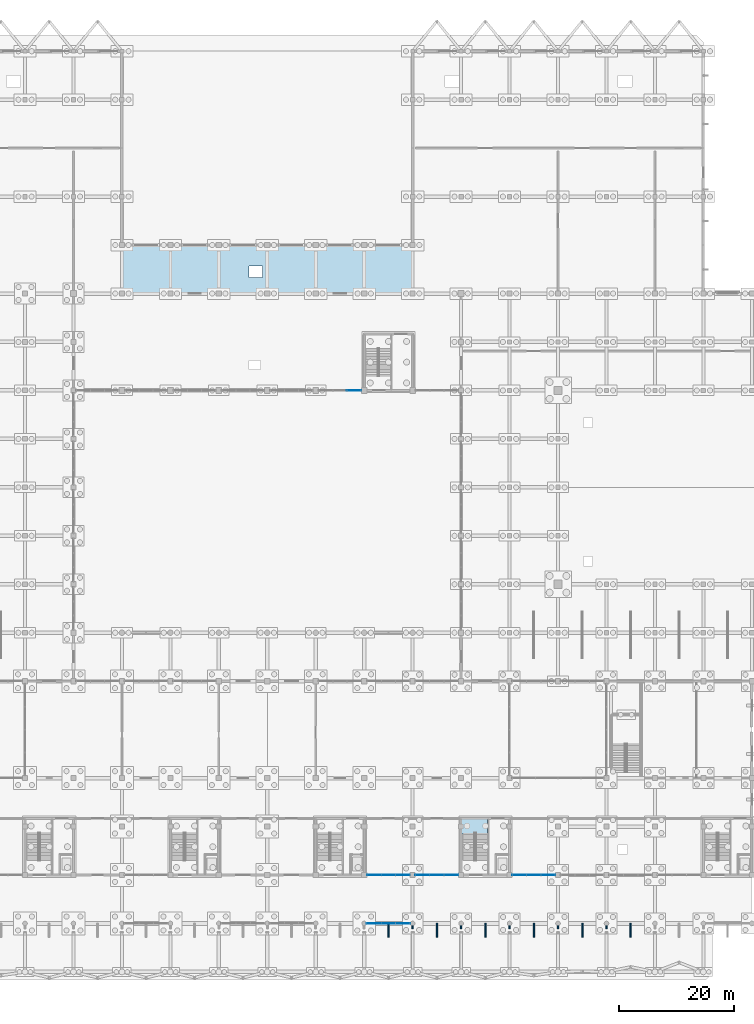
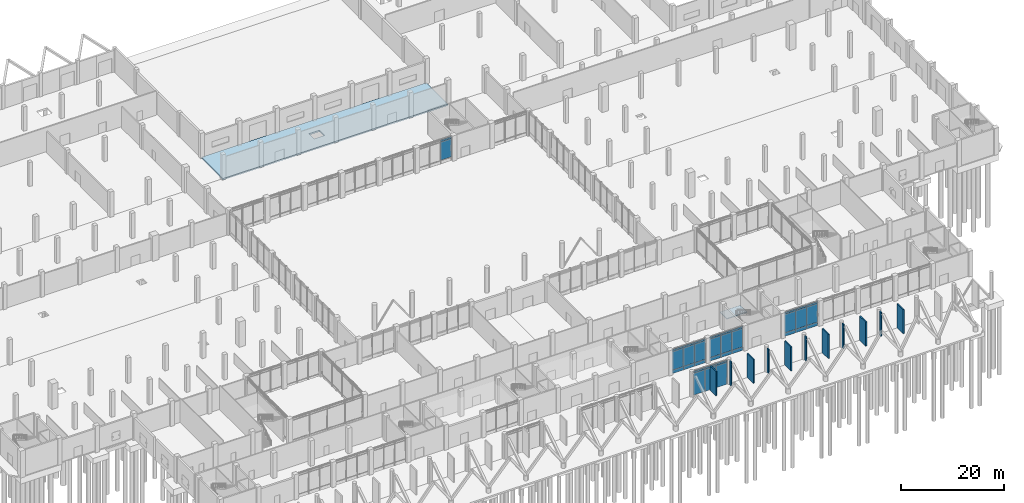
# One storey, part 45 of 72: 46 plates, 2 slabs, 6 elements without a shape of their own.
"""IFC4 building model written with IfcOpenShell, lengths in metres."""

import ifcopenshell
import ifcopenshell.guid

model = None  # the IFC model being written
_history = None  # IfcOwnerHistory: only IFC2X3 demands one
_inside = {}  # id of a spatial element -> (the spatial element, [elements in it])
_under = {}  # id of a project, library or spatial element -> (it, [spatial elements below it])
_declared = {}  # id of a project -> (the project, [libraries it declares])
_typed = {}  # id of a type object -> (the type object, [elements of that type])
_made_of = {}  # id of a material, layer set ... -> (it, [elements and type objects made of it])


def new_model(schema):
    """Start an empty IFC model of exactly this schema.

    Asked for "IFC4X3", IfcOpenShell would pick the latest addendum, in which some entities
    have other attributes; the version numbers below select the first issue.
    IFC2X3 requires an IfcOwnerHistory on every rooted entity: one is made here for all.
    """
    global model, _history
    if schema == "IFC4X3":
        model = ifcopenshell.file(schema_version=(4, 3, 0, 0))
    else:
        model = ifcopenshell.file(schema=schema)
    _inside.clear()
    _under.clear()
    _declared.clear()
    _typed.clear()
    _made_of.clear()
    _history = None
    if model.schema == "IFC2X3":
        org = make("IfcOrganization", Name="unknown")
        user = make(
            "IfcPersonAndOrganization",
            ThePerson=make("IfcPerson", FamilyName="unknown"),
            TheOrganization=org,
        )
        app = make(
            "IfcApplication",
            ApplicationDeveloper=org,
            Version="unknown",
            ApplicationFullName="unknown",
            ApplicationIdentifier="unknown",
        )
        _history = make(
            "IfcOwnerHistory",
            OwningUser=user,
            OwningApplication=app,
            ChangeAction="ADDED",
            CreationDate=0,
        )
    return model


def make(cls, **values):
    """One entity of the class cls with the attributes given. An attribute that is None is left unset."""
    return model.create_entity(
        cls, **{name: value for name, value in values.items() if value is not None}
    )


def rooted(cls, **values):
    """An entity with a GlobalId (a new one), such as an element, a storey or a relation."""
    return make(cls, GlobalId=ifcopenshell.guid.new(), OwnerHistory=_history, **values)


def si_unit(unit_type, name, prefix=None):
    """IfcSIUnit, for example si_unit("LENGTHUNIT", "METRE", prefix="MILLI")."""
    return make("IfcSIUnit", UnitType=unit_type, Prefix=prefix, Name=name)


def assignment(units):
    """IfcUnitAssignment: the units of a project."""
    return None if units is None else make("IfcUnitAssignment", Units=units)


def point(xyz):
    """IfcCartesianPoint."""
    return None if xyz is None else make("IfcCartesianPoint", Coordinates=xyz)


def direction(xyz):
    """IfcDirection."""
    return None if xyz is None else make("IfcDirection", DirectionRatios=xyz)


def frame(location, z_axis=None, x_axis=None):
    """IfcAxis2Placement3D, a coordinate frame: its origin and axes. An axis left out is left unset."""
    return make(
        "IfcAxis2Placement3D",
        Location=point(location),
        Axis=direction(z_axis),
        RefDirection=direction(x_axis),
    )


def frame_2d(location, x_axis=None):
    """IfcAxis2Placement2D, a coordinate frame in the plane: its origin and x axis."""
    return make(
        "IfcAxis2Placement2D", Location=point(location), RefDirection=direction(x_axis)
    )


def origin():
    """The frame at (0, 0, 0) with its axes left unset."""
    return frame((0.0, 0.0, 0.0))


def place(relative_to, where):
    """IfcLocalPlacement: puts the frame where relative to a parent placement (None: the world)."""
    return make(
        "IfcLocalPlacement", PlacementRelTo=relative_to, RelativePlacement=where
    )


def context(
    kind, dimensions, precision=None, world=None, true_north=None, identifier=None
):
    """IfcGeometricRepresentationContext, for example the 3D "Model" context."""
    return make(
        "IfcGeometricRepresentationContext",
        ContextIdentifier=identifier,
        ContextType=kind,
        CoordinateSpaceDimension=dimensions,
        Precision=precision,
        WorldCoordinateSystem=world,
        TrueNorth=true_north,
    )


def subcontext(parent, identifier, kind, view, scale=None):
    """IfcGeometricRepresentationSubContext, for example "Body" below "Model"."""
    return make(
        "IfcGeometricRepresentationSubContext",
        ContextIdentifier=identifier,
        ContextType=kind,
        ParentContext=parent,
        TargetScale=scale,
        TargetView=view,
    )


def project(units=None, contexts=None):
    """IfcProject with its units and contexts."""
    return rooted(
        "IfcProject",
        Name="project",
        RepresentationContexts=contexts,
        UnitsInContext=assignment(units),
    )


def spatial(cls, under=None, at=None, **own):
    """A site, building, storey or space (cls), placed at a placement, below another one or the project."""
    s = rooted(cls, ObjectPlacement=at, **own)
    if under is not None:
        _under.setdefault(under.id(), (under, []))[1].append(s)
    return s


def polyline(points):
    """IfcPolyline through the points."""
    return make("IfcPolyline", Points=[point(p) for p in points])


def profile(cls, at=None, kind="AREA", **sizes):
    """A parametric profile (cls). Its sizes go by their IFC names, for example OverallWidth=200.0."""
    return make(cls, ProfileType=kind, Position=at, **sizes)


def rectangle(**sizes):
    """IfcRectangleProfileDef."""
    return profile("IfcRectangleProfileDef", **sizes)


def outline(outer, holes=None, kind="AREA"):
    """IfcArbitraryClosedProfileDef: a profile drawn as a closed curve; with holes, ...WithVoids."""
    if holes is None:
        return make("IfcArbitraryClosedProfileDef", ProfileType=kind, OuterCurve=outer)
    return make(
        "IfcArbitraryProfileDefWithVoids",
        ProfileType=kind,
        OuterCurve=outer,
        InnerCurves=holes,
    )


def extrude(swept, where, along, depth):
    """IfcExtrudedAreaSolid: the profile swept, set in the frame where, extruded along a direction by depth."""
    return make(
        "IfcExtrudedAreaSolid",
        SweptArea=swept,
        Position=where,
        ExtrudedDirection=direction(along),
        Depth=depth,
    )


def shape(context_of_items, identifier, shape_type, items):
    """IfcShapeRepresentation: the items that make up one representation, for example the "Body"."""
    return make(
        "IfcShapeRepresentation",
        ContextOfItems=context_of_items,
        RepresentationIdentifier=identifier,
        RepresentationType=shape_type,
        Items=items,
    )


def material(Name=None, Category=None):
    """IfcMaterial."""
    return make("IfcMaterial", Name=Name, Category=Category)


def layer(
    of_material, thickness, ventilated=None, Name=None, Category=None, Priority=None
):
    """IfcMaterialLayer: one layer of a wall or slab, of a material (None: an air gap)."""
    return make(
        "IfcMaterialLayer",
        Material=of_material,
        LayerThickness=thickness,
        IsVentilated=ventilated,
        Name=Name,
        Category=Category,
        Priority=Priority,
    )


def layer_set(layers, Name=None):
    """IfcMaterialLayerSet."""
    return make("IfcMaterialLayerSet", MaterialLayers=layers, LayerSetName=Name)


def made_of(thing, what):
    """Note that an element or type object is made of a material, layer set ...; save() writes the relation."""
    if what is not None:
        _made_of.setdefault(what.id(), (what, []))[1].append(thing)
    return thing


def type_object(cls, material=None, **own):
    """A type object (cls), such as IfcWallType, which elements share."""
    return made_of(rooted(cls, **own), material)


def element(
    cls,
    number,
    at=None,
    inside=None,
    cuts=None,
    type_object=None,
    material=None,
    context=None,
    identifier="Body",
    shape_type=None,
    held_by="IfcProductDefinitionShape",
    body=None,
    shapes=None,
    **own,
):
    """One element of the class cls, such as IfcWall. Its Tag is "e" and its number.

    at: its placement. inside: the storey or other place that contains it. cuts: it is an
    opening in that element (IfcRelVoidsElement). A single representation is given by context,
    identifier, shape_type and body (its items); several are given by shapes. held_by: the class
    of the entity that holds the representations. save() writes the other relations.
    """
    e = rooted(cls, Tag="e%d" % number, ObjectPlacement=at, **own)
    if body is not None:
        shapes = [shape(context, identifier, shape_type, body)]
    if shapes is not None:
        e.Representation = make(held_by, Representations=shapes)
    if inside is not None:
        _inside.setdefault(inside.id(), (inside, []))[1].append(e)
    if cuts is not None:
        rooted(
            "IfcRelVoidsElement", RelatingBuildingElement=cuts, RelatedOpeningElement=e
        )
    if type_object is not None:
        _typed.setdefault(type_object.id(), (type_object, []))[1].append(e)
    return made_of(e, material)


def aggregate(whole, parts):
    """IfcRelAggregates: a whole, such as a stair, and the parts it consists of."""
    return rooted("IfcRelAggregates", RelatingObject=whole, RelatedObjects=parts)


def save(model, path):
    """Write the relations noted so far, then the file.

    IfcRelAggregates (storeys below a building ...), IfcRelContainedInSpatialStructure (elements
    in a storey), IfcRelDefinesByType, IfcRelAssociatesMaterial and IfcRelDeclares: one each for
    every whole, place, type object, material and project.
    """
    for whole, parts in _under.values():
        aggregate(whole, parts)
    for where, things in _inside.values():
        rooted(
            "IfcRelContainedInSpatialStructure",
            RelatedElements=things,
            RelatingStructure=where,
        )
    for kind, things in _typed.values():
        rooted("IfcRelDefinesByType", RelatedObjects=things, RelatingType=kind)
    for what, things in _made_of.values():
        rooted("IfcRelAssociatesMaterial", RelatedObjects=things, RelatingMaterial=what)
    for by, libraries in _declared.values():
        rooted("IfcRelDeclares", RelatingContext=by, RelatedDefinitions=libraries)
    model.write(path)


model = new_model("IFC4")

# Units and contexts
model_context = context("Model", 3, precision=1e-05, world=origin(), true_north=direction((0.0, 1.0)))
body_context = subcontext(model_context, "Body", "Model", "MODEL_VIEW")
ifc_project = project(units=[si_unit("LENGTHUNIT", "METRE"), si_unit("AREAUNIT", "SQUARE_METRE"), si_unit("VOLUMEUNIT", "CUBIC_METRE"), si_unit("PLANEANGLEUNIT", "RADIAN"), si_unit("MASSUNIT", "GRAM", prefix="KILO")], contexts=[model_context])

# Site, building, storey
site_placement = place(None, origin())
site = spatial("IfcSite", under=ifc_project, at=site_placement, CompositionType="ELEMENT")
building_placement = place(site_placement, origin())
building = spatial("IfcBuilding", under=site, at=building_placement, Name="Qawsi Khor Wholesale Market", CompositionType="ELEMENT")
storey_placement = place(building_placement, origin())
storey = spatial("IfcBuildingStorey", under=building, at=storey_placement, Name="L00", CompositionType="ELEMENT", Elevation=0.0)

# Slab
ifc_material_1 = material(Name="Concrete C45/55", Category="concrete")
ifc_layer_1 = layer(ifc_material_1, 0.360107421875, Name="Concrete C45/55")
ifc_layer_set_1 = layer_set([ifc_layer_1], Name="Concrete C45/55")
slab_type_1 = type_object("IfcSlabType", Name="Ground-Bearing Slab 360 C45/55", PredefinedType="BASESLAB", material=ifc_layer_set_1)
slab_1_placement = place(storey_placement, frame((0.0, 0.0, -0.360107421875)))
element("IfcSlab", 1, at=slab_1_placement, inside=storey, type_object=slab_type_1, Name="SLB-L00-AUC-DOCK", PredefinedType="BASESLAB", context=body_context, shape_type="SweptSolid", body=[
    extrude(outline(polyline([(84.0, 117.60009765625), (134.39990234375, 117.60009765625), (134.39990234375, 109.199951171875), (84.0, 109.199951171875), (84.0, 117.60009765625)]), holes=[polyline([(108.39990234375, 112.0), (108.39990234375, 114.0), (106.0, 114.0), (106.0, 112.0), (108.39990234375, 112.0)])]), origin(), (0.0, 0.0, 1.0), 0.360107421875),
])

# Curtain wall, plates
ifc_material_2 = material(Name="Aluminium Anodised Bronze", Category="aluminium")
ifc_layer_2 = layer(ifc_material_2, 0.159912109375, Name="Aluminium Anodised Bronze")
ifc_layer_set_2 = layer_set([ifc_layer_2], Name="Aluminium Anodised Bronze")
curtain_wall_type_1 = type_object("IfcCurtainWallType", Name="Boulevard Arcade Glazed Curtain Wall CW-01", PredefinedType="NOTDEFINED", material=ifc_layer_set_2)
curtain_wall_1_placement = place(storey_placement, origin())
curtain_wall_1 = element("IfcCurtainWall", 2, at=curtain_wall_1_placement, inside=storey, type_object=curtain_wall_type_1, Name="Curtain wall CW-CW-01-L00-005", PredefinedType="NOTDEFINED")
ifc_material_3 = material(Name="Anodised Aluminium Spandrel", Category="aluminium")
ifc_layer_3 = layer(ifc_material_3, 0.054931640625, Name="Anodised Aluminium Spandrel")
ifc_layer_set_3 = layer_set([ifc_layer_3], Name="Anodised Aluminium Spandrel")
plate_type_1 = type_object("IfcPlateType", Name="Insulated Spandrel Panel CW-01 55mm", PredefinedType="CURTAIN_PANEL", material=ifc_layer_set_3)
plate_1_placement = place(storey_placement, frame((126.492431640625, 8.39990234375, 0.0048828125), z_axis=(0.0, 0.0, 1.0), x_axis=(1.0, 0.0, 0.0)))
plate_1 = element("IfcPlate", 3, at=plate_1_placement, type_object=plate_type_1, Name="Curtain panel CW-CW-01-L00-005-P0_00", PredefinedType="CURTAIN_PANEL", context=body_context, shape_type="SweptSolid", body=[
    extrude(rectangle(XDim=2.4716796875, YDim=0.054931640625, at=frame_2d((1.23583984375, 0.0))), origin(), (0.0, 0.0, 1.0), 0.840087890625),
])
plate_2_placement = place(storey_placement, frame((128.964111328125, 8.39990234375, 0.0048828125), z_axis=(0.0, 0.0, 1.0), x_axis=(1.0, 0.0, 0.0)))
plate_2 = element("IfcPlate", 4, at=plate_2_placement, type_object=plate_type_1, Name="Curtain panel CW-CW-01-L00-005-P0_01", PredefinedType="CURTAIN_PANEL", context=body_context, shape_type="SweptSolid", body=[
    extrude(rectangle(XDim=2.4716796875, YDim=0.054931640625, at=frame_2d((1.23583984375, 0.0))), origin(), (0.0, 0.0, 1.0), 0.840087890625),
])
plate_3_placement = place(storey_placement, frame((131.435791015625, 8.39990234375, 0.0048828125), z_axis=(0.0, 0.0, 1.0), x_axis=(1.0, 0.0, 0.0)))
plate_3 = element("IfcPlate", 5, at=plate_3_placement, type_object=plate_type_1, Name="Curtain panel CW-CW-01-L00-005-P0_02", PredefinedType="CURTAIN_PANEL", context=body_context, shape_type="SweptSolid", body=[
    extrude(rectangle(XDim=2.4716796875, YDim=0.054931640625, at=frame_2d((1.23583984375, 0.0))), origin(), (0.0, 0.0, 1.0), 0.840087890625),
])

curtain_wall_2_placement = place(storey_placement, origin())
curtain_wall_2 = element("IfcCurtainWall", 6, at=curtain_wall_2_placement, inside=storey, type_object=curtain_wall_type_1, Name="Curtain wall CW-CW-01-L00-006", PredefinedType="NOTDEFINED")
plate_4_placement = place(storey_placement, frame((134.892578125, 8.39990234375, 0.0048828125), z_axis=(0.0, 0.0, 1.0), x_axis=(1.0, 0.0, 0.0)))
plate_4 = element("IfcPlate", 7, at=plate_4_placement, type_object=plate_type_1, Name="Curtain panel CW-CW-01-L00-006-P0_00", PredefinedType="CURTAIN_PANEL", context=body_context, shape_type="SweptSolid", body=[
    extrude(rectangle(XDim=2.4716796875, YDim=0.054931640625, at=frame_2d((1.23583984375, 0.0))), origin(), (0.0, 0.0, 1.0), 0.840087890625),
])
plate_5_placement = place(storey_placement, frame((137.3642578125, 8.39990234375, 0.0048828125), z_axis=(0.0, 0.0, 1.0), x_axis=(1.0, 0.0, 0.0)))
plate_5 = element("IfcPlate", 8, at=plate_5_placement, type_object=plate_type_1, Name="Curtain panel CW-CW-01-L00-006-P0_01", PredefinedType="CURTAIN_PANEL", context=body_context, shape_type="SweptSolid", body=[
    extrude(rectangle(XDim=2.471435546875, YDim=0.054931640625, at=frame_2d((1.23583984375, 0.0))), origin(), (0.0, 0.0, 1.0), 0.840087890625),
])
plate_6_placement = place(storey_placement, frame((139.835693359375, 8.39990234375, 0.0048828125), z_axis=(0.0, 0.0, 1.0), x_axis=(1.0, 0.0, 0.0)))
plate_6 = element("IfcPlate", 9, at=plate_6_placement, type_object=plate_type_1, Name="Curtain panel CW-CW-01-L00-006-P0_02", PredefinedType="CURTAIN_PANEL", context=body_context, shape_type="SweptSolid", body=[
    extrude(rectangle(XDim=2.471923828125, YDim=0.054931640625, at=frame_2d((1.23583984375, 0.0))), origin(), (0.0, 0.0, 1.0), 0.840087890625),
])

curtain_wall_3_placement = place(storey_placement, origin())
curtain_wall_3 = element("IfcCurtainWall", 10, at=curtain_wall_3_placement, inside=storey, type_object=curtain_wall_type_1, Name="Curtain wall CW-CW-01-L00-007", PredefinedType="NOTDEFINED")
plate_7_placement = place(storey_placement, frame((151.6923828125, 8.39990234375, 0.0048828125), z_axis=(0.0, 0.0, 1.0), x_axis=(1.0, 0.0, 0.0)))
plate_7 = element("IfcPlate", 11, at=plate_7_placement, type_object=plate_type_1, Name="Curtain panel CW-CW-01-L00-007-P0_00", PredefinedType="CURTAIN_PANEL", context=body_context, shape_type="SweptSolid", body=[
    extrude(rectangle(XDim=2.471923828125, YDim=0.054931640625, at=frame_2d((1.23583984375, 0.0))), origin(), (0.0, 0.0, 1.0), 0.840087890625),
])
plate_8_placement = place(storey_placement, frame((154.164306640625, 8.39990234375, 0.0048828125), z_axis=(0.0, 0.0, 1.0), x_axis=(1.0, 0.0, 0.0)))
plate_8 = element("IfcPlate", 12, at=plate_8_placement, type_object=plate_type_1, Name="Curtain panel CW-CW-01-L00-007-P0_01", PredefinedType="CURTAIN_PANEL", context=body_context, shape_type="SweptSolid", body=[
    extrude(rectangle(XDim=2.471435546875, YDim=0.054931640625, at=frame_2d((1.23583984375, 0.0))), origin(), (0.0, 0.0, 1.0), 0.840087890625),
])
plate_9_placement = place(storey_placement, frame((156.6357421875, 8.39990234375, 0.0048828125), z_axis=(0.0, 0.0, 1.0), x_axis=(1.0, 0.0, 0.0)))
plate_9 = element("IfcPlate", 13, at=plate_9_placement, type_object=plate_type_1, Name="Curtain panel CW-CW-01-L00-007-P0_02", PredefinedType="CURTAIN_PANEL", context=body_context, shape_type="SweptSolid", body=[
    extrude(rectangle(XDim=2.4716796875, YDim=0.054931640625, at=frame_2d((1.23583984375, 0.0))), origin(), (0.0, 0.0, 1.0), 0.840087890625),
])

# Plates
ifc_material_4 = material(Name="Concrete C40/50", Category="concrete")
ifc_layer_4 = layer(ifc_material_4, 0.260009765625, Name="Concrete C40/50")
ifc_layer_set_4 = layer_set([ifc_layer_4], Name="Concrete C40/50")
plate_type_2 = type_object("IfcPlateType", Name="Sculpted Concrete Solar Buttress Fin 260", PredefinedType="SHEET", material=ifc_layer_set_4)
plate_10_placement = place(storey_placement, frame((130.199951171875, -2.35009765625, 0.0), z_axis=(0.0, 0.0, 1.0), x_axis=(0.0, 1.0, 0.0)))
element("IfcPlate", 14, at=plate_10_placement, inside=storey, type_object=plate_type_2, Name="Boulevard concrete solar buttress fin L00-25", PredefinedType="SHEET", context=body_context, shape_type="SweptSolid", body=[
    extrude(rectangle(XDim=2.3701171875, YDim=0.260009765625, at=frame_2d((1.18505859375, 0.0))), origin(), (0.0, 0.0, 1.0), 5.719970703125),
])
plate_11_placement = place(storey_placement, frame((134.39990234375, -0.949951171875, 0.0), z_axis=(0.0, 0.0, 1.0), x_axis=(0.0, 1.0, 0.0)))
element("IfcPlate", 15, at=plate_11_placement, inside=storey, type_object=plate_type_2, Name="Boulevard concrete solar buttress fin L00-26", PredefinedType="SHEET", context=body_context, shape_type="SweptSolid", body=[
    extrude(rectangle(XDim=0.58984375, YDim=0.260009765625, at=frame_2d((0.294921875, 0.0))), origin(), (0.0, 0.0, 1.0), 5.719970703125),
])
plate_12_placement = place(storey_placement, frame((138.60009765625, -2.35009765625, 0.0), z_axis=(0.0, 0.0, 1.0), x_axis=(0.0, 1.0, 0.0)))
element("IfcPlate", 16, at=plate_12_placement, inside=storey, type_object=plate_type_2, Name="Boulevard concrete solar buttress fin L00-27", PredefinedType="SHEET", context=body_context, shape_type="SweptSolid", body=[
    extrude(rectangle(XDim=2.3701171875, YDim=0.260009765625, at=frame_2d((1.18505859375, 0.0))), origin(), (0.0, 0.0, 1.0), 5.719970703125),
])
plate_13_placement = place(storey_placement, frame((142.800048828125, -0.949951171875, 0.0), z_axis=(0.0, 0.0, 1.0), x_axis=(0.0, 1.0, 0.0)))
element("IfcPlate", 17, at=plate_13_placement, inside=storey, type_object=plate_type_2, Name="Boulevard concrete solar buttress fin L00-28", PredefinedType="SHEET", context=body_context, shape_type="SweptSolid", body=[
    extrude(rectangle(XDim=0.58984375, YDim=0.260009765625, at=frame_2d((0.294921875, 0.0))), origin(), (0.0, 0.0, 1.0), 5.719970703125),
])
plate_14_placement = place(storey_placement, frame((147.0, -2.35009765625, 0.0), z_axis=(0.0, 0.0, 1.0), x_axis=(0.0, 1.0, 0.0)))
element("IfcPlate", 18, at=plate_14_placement, inside=storey, type_object=plate_type_2, Name="Boulevard concrete solar buttress fin L00-29", PredefinedType="SHEET", context=body_context, shape_type="SweptSolid", body=[
    extrude(rectangle(XDim=2.3701171875, YDim=0.260009765625, at=frame_2d((1.18505859375, 0.0))), origin(), (0.0, 0.0, 1.0), 5.719970703125),
])
plate_15_placement = place(storey_placement, frame((151.199951171875, -0.949951171875, 0.0), z_axis=(0.0, 0.0, 1.0), x_axis=(0.0, 1.0, 0.0)))
element("IfcPlate", 19, at=plate_15_placement, inside=storey, type_object=plate_type_2, Name="Boulevard concrete solar buttress fin L00-30", PredefinedType="SHEET", context=body_context, shape_type="SweptSolid", body=[
    extrude(rectangle(XDim=0.58984375, YDim=0.260009765625, at=frame_2d((0.294921875, 0.0))), origin(), (0.0, 0.0, 1.0), 5.719970703125),
])
plate_16_placement = place(storey_placement, frame((155.39990234375, -2.35009765625, 0.0), z_axis=(0.0, 0.0, 1.0), x_axis=(0.0, 1.0, 0.0)))
element("IfcPlate", 20, at=plate_16_placement, inside=storey, type_object=plate_type_2, Name="Boulevard concrete solar buttress fin L00-31", PredefinedType="SHEET", context=body_context, shape_type="SweptSolid", body=[
    extrude(rectangle(XDim=2.3701171875, YDim=0.260009765625, at=frame_2d((1.18505859375, 0.0))), origin(), (0.0, 0.0, 1.0), 5.719970703125),
])
plate_17_placement = place(storey_placement, frame((159.60009765625, -0.949951171875, 0.0), z_axis=(0.0, 0.0, 1.0), x_axis=(0.0, 1.0, 0.0)))
element("IfcPlate", 21, at=plate_17_placement, inside=storey, type_object=plate_type_2, Name="Boulevard concrete solar buttress fin L00-32", PredefinedType="SHEET", context=body_context, shape_type="SweptSolid", body=[
    extrude(rectangle(XDim=0.58984375, YDim=0.260009765625, at=frame_2d((0.294921875, 0.0))), origin(), (0.0, 0.0, 1.0), 5.719970703125),
])
plate_18_placement = place(storey_placement, frame((163.800048828125, -2.35009765625, 0.0), z_axis=(0.0, 0.0, 1.0), x_axis=(0.0, 1.0, 0.0)))
element("IfcPlate", 22, at=plate_18_placement, inside=storey, type_object=plate_type_2, Name="Boulevard concrete solar buttress fin L00-33", PredefinedType="SHEET", context=body_context, shape_type="SweptSolid", body=[
    extrude(rectangle(XDim=2.3701171875, YDim=0.260009765625, at=frame_2d((1.18505859375, 0.0))), origin(), (0.0, 0.0, 1.0), 5.719970703125),
])
plate_19_placement = place(storey_placement, frame((168.0, -0.949951171875, 0.0), z_axis=(0.0, 0.0, 1.0), x_axis=(0.0, 1.0, 0.0)))
element("IfcPlate", 23, at=plate_19_placement, inside=storey, type_object=plate_type_2, Name="Boulevard concrete solar buttress fin L00-34", PredefinedType="SHEET", context=body_context, shape_type="SweptSolid", body=[
    extrude(rectangle(XDim=0.58984375, YDim=0.260009765625, at=frame_2d((0.294921875, 0.0))), origin(), (0.0, 0.0, 1.0), 5.719970703125),
])
plate_20_placement = place(storey_placement, frame((172.199951171875, -2.35009765625, 0.0), z_axis=(0.0, 0.0, 1.0), x_axis=(0.0, 1.0, 0.0)))
element("IfcPlate", 24, at=plate_20_placement, inside=storey, type_object=plate_type_2, Name="Boulevard concrete solar buttress fin L00-35", PredefinedType="SHEET", context=body_context, shape_type="SweptSolid", body=[
    extrude(rectangle(XDim=2.3701171875, YDim=0.260009765625, at=frame_2d((1.18505859375, 0.0))), origin(), (0.0, 0.0, 1.0), 5.719970703125),
])

# Plate
ifc_material_5 = material(Name="Tempered Low-E Solar Glass", Category="glass")
ifc_layer_5 = layer(ifc_material_5, 0.02392578125, Name="Tempered Low-E Solar Glass")
ifc_layer_set_5 = layer_set([ifc_layer_5], Name="Tempered Low-E Solar Glass")
plate_type_3 = type_object("IfcPlateType", Name="Solar Double-Glazed Unit CW-01 24mm", PredefinedType="CURTAIN_PANEL", material=ifc_layer_set_5)
plate_21_placement = place(storey_placement, frame((126.492431640625, 8.39990234375, 0.85498046875), z_axis=(0.0, 0.0, 1.0), x_axis=(1.0, 0.0, 0.0)))
plate_21 = element("IfcPlate", 25, at=plate_21_placement, type_object=plate_type_3, Name="Curtain panel CW-CW-01-L00-005-P1_00", PredefinedType="CURTAIN_PANEL", context=body_context, shape_type="SweptSolid", body=[
    extrude(rectangle(XDim=2.4716796875, YDim=0.02392578125, at=frame_2d((1.23583984375, 0.0))), origin(), (0.0, 0.0, 1.0), 4.409912109375),
])

plate_22_placement = place(storey_placement, frame((128.964111328125, 8.39990234375, 0.85498046875), z_axis=(0.0, 0.0, 1.0), x_axis=(1.0, 0.0, 0.0)))
plate_22 = element("IfcPlate", 26, at=plate_22_placement, type_object=plate_type_3, Name="Curtain panel CW-CW-01-L00-005-P1_01", PredefinedType="CURTAIN_PANEL", context=body_context, shape_type="SweptSolid", body=[
    extrude(rectangle(XDim=2.4716796875, YDim=0.02392578125, at=frame_2d((1.23583984375, 0.0))), origin(), (0.0, 0.0, 1.0), 4.409912109375),
])

plate_23_placement = place(storey_placement, frame((131.435791015625, 8.39990234375, 0.85498046875), z_axis=(0.0, 0.0, 1.0), x_axis=(1.0, 0.0, 0.0)))
plate_23 = element("IfcPlate", 27, at=plate_23_placement, type_object=plate_type_3, Name="Curtain panel CW-CW-01-L00-005-P1_02", PredefinedType="CURTAIN_PANEL", context=body_context, shape_type="SweptSolid", body=[
    extrude(rectangle(XDim=2.4716796875, YDim=0.02392578125, at=frame_2d((1.23583984375, 0.0))), origin(), (0.0, 0.0, 1.0), 4.409912109375),
])

plate_24_placement = place(storey_placement, frame((126.492431640625, 8.39990234375, 5.27490234375), z_axis=(0.0, 0.0, 1.0), x_axis=(1.0, 0.0, 0.0)))
plate_24 = element("IfcPlate", 28, at=plate_24_placement, type_object=plate_type_3, Name="Curtain panel CW-CW-01-L00-005-P2_00", PredefinedType="CURTAIN_PANEL", context=body_context, shape_type="SweptSolid", body=[
    extrude(rectangle(XDim=2.4716796875, YDim=0.02392578125, at=frame_2d((1.23583984375, 0.0))), origin(), (0.0, 0.0, 1.0), 0.440185546875),
])

plate_25_placement = place(storey_placement, frame((128.964111328125, 8.39990234375, 5.27490234375), z_axis=(0.0, 0.0, 1.0), x_axis=(1.0, 0.0, 0.0)))
plate_25 = element("IfcPlate", 29, at=plate_25_placement, type_object=plate_type_3, Name="Curtain panel CW-CW-01-L00-005-P2_01", PredefinedType="CURTAIN_PANEL", context=body_context, shape_type="SweptSolid", body=[
    extrude(rectangle(XDim=2.4716796875, YDim=0.02392578125, at=frame_2d((1.23583984375, 0.0))), origin(), (0.0, 0.0, 1.0), 0.440185546875),
])

plate_26_placement = place(storey_placement, frame((131.435791015625, 8.39990234375, 5.27490234375), z_axis=(0.0, 0.0, 1.0), x_axis=(1.0, 0.0, 0.0)))
plate_26 = element("IfcPlate", 30, at=plate_26_placement, type_object=plate_type_3, Name="Curtain panel CW-CW-01-L00-005-P2_02", PredefinedType="CURTAIN_PANEL", context=body_context, shape_type="SweptSolid", body=[
    extrude(rectangle(XDim=2.4716796875, YDim=0.02392578125, at=frame_2d((1.23583984375, 0.0))), origin(), (0.0, 0.0, 1.0), 0.440185546875),
])

aggregate(curtain_wall_1, [plate_1, plate_2, plate_3, plate_21, plate_22, plate_23, plate_24, plate_25, plate_26])

plate_27_placement = place(storey_placement, frame((134.892578125, 8.39990234375, 0.85498046875), z_axis=(0.0, 0.0, 1.0), x_axis=(1.0, 0.0, 0.0)))
plate_27 = element("IfcPlate", 31, at=plate_27_placement, type_object=plate_type_3, Name="Curtain panel CW-CW-01-L00-006-P1_00", PredefinedType="CURTAIN_PANEL", context=body_context, shape_type="SweptSolid", body=[
    extrude(rectangle(XDim=2.4716796875, YDim=0.02392578125, at=frame_2d((1.23583984375, 0.0))), origin(), (0.0, 0.0, 1.0), 4.409912109375),
])

plate_28_placement = place(storey_placement, frame((137.3642578125, 8.39990234375, 0.85498046875), z_axis=(0.0, 0.0, 1.0), x_axis=(1.0, 0.0, 0.0)))
plate_28 = element("IfcPlate", 32, at=plate_28_placement, type_object=plate_type_3, Name="Curtain panel CW-CW-01-L00-006-P1_01", PredefinedType="CURTAIN_PANEL", context=body_context, shape_type="SweptSolid", body=[
    extrude(rectangle(XDim=2.471435546875, YDim=0.02392578125, at=frame_2d((1.23583984375, 0.0))), origin(), (0.0, 0.0, 1.0), 4.409912109375),
])

plate_29_placement = place(storey_placement, frame((139.835693359375, 8.39990234375, 0.85498046875), z_axis=(0.0, 0.0, 1.0), x_axis=(1.0, 0.0, 0.0)))
plate_29 = element("IfcPlate", 33, at=plate_29_placement, type_object=plate_type_3, Name="Curtain panel CW-CW-01-L00-006-P1_02", PredefinedType="CURTAIN_PANEL", context=body_context, shape_type="SweptSolid", body=[
    extrude(rectangle(XDim=2.471923828125, YDim=0.02392578125, at=frame_2d((1.23583984375, 0.0))), origin(), (0.0, 0.0, 1.0), 4.409912109375),
])

plate_30_placement = place(storey_placement, frame((134.892578125, 8.39990234375, 5.27490234375), z_axis=(0.0, 0.0, 1.0), x_axis=(1.0, 0.0, 0.0)))
plate_30 = element("IfcPlate", 34, at=plate_30_placement, type_object=plate_type_3, Name="Curtain panel CW-CW-01-L00-006-P2_00", PredefinedType="CURTAIN_PANEL", context=body_context, shape_type="SweptSolid", body=[
    extrude(rectangle(XDim=2.4716796875, YDim=0.02392578125, at=frame_2d((1.23583984375, 0.0))), origin(), (0.0, 0.0, 1.0), 0.440185546875),
])

plate_31_placement = place(storey_placement, frame((137.3642578125, 8.39990234375, 5.27490234375), z_axis=(0.0, 0.0, 1.0), x_axis=(1.0, 0.0, 0.0)))
plate_31 = element("IfcPlate", 35, at=plate_31_placement, type_object=plate_type_3, Name="Curtain panel CW-CW-01-L00-006-P2_01", PredefinedType="CURTAIN_PANEL", context=body_context, shape_type="SweptSolid", body=[
    extrude(rectangle(XDim=2.471435546875, YDim=0.02392578125, at=frame_2d((1.23583984375, 0.0))), origin(), (0.0, 0.0, 1.0), 0.440185546875),
])

plate_32_placement = place(storey_placement, frame((139.835693359375, 8.39990234375, 5.27490234375), z_axis=(0.0, 0.0, 1.0), x_axis=(1.0, 0.0, 0.0)))
plate_32 = element("IfcPlate", 36, at=plate_32_placement, type_object=plate_type_3, Name="Curtain panel CW-CW-01-L00-006-P2_02", PredefinedType="CURTAIN_PANEL", context=body_context, shape_type="SweptSolid", body=[
    extrude(rectangle(XDim=2.471923828125, YDim=0.02392578125, at=frame_2d((1.23583984375, 0.0))), origin(), (0.0, 0.0, 1.0), 0.440185546875),
])

aggregate(curtain_wall_2, [plate_4, plate_5, plate_6, plate_27, plate_28, plate_29, plate_30, plate_31, plate_32])

plate_33_placement = place(storey_placement, frame((151.6923828125, 8.39990234375, 0.85498046875), z_axis=(0.0, 0.0, 1.0), x_axis=(1.0, 0.0, 0.0)))
plate_33 = element("IfcPlate", 37, at=plate_33_placement, type_object=plate_type_3, Name="Curtain panel CW-CW-01-L00-007-P1_00", PredefinedType="CURTAIN_PANEL", context=body_context, shape_type="SweptSolid", body=[
    extrude(rectangle(XDim=2.471923828125, YDim=0.02392578125, at=frame_2d((1.23583984375, 0.0))), origin(), (0.0, 0.0, 1.0), 4.409912109375),
])

plate_34_placement = place(storey_placement, frame((154.164306640625, 8.39990234375, 0.85498046875), z_axis=(0.0, 0.0, 1.0), x_axis=(1.0, 0.0, 0.0)))
plate_34 = element("IfcPlate", 38, at=plate_34_placement, type_object=plate_type_3, Name="Curtain panel CW-CW-01-L00-007-P1_01", PredefinedType="CURTAIN_PANEL", context=body_context, shape_type="SweptSolid", body=[
    extrude(rectangle(XDim=2.471435546875, YDim=0.02392578125, at=frame_2d((1.23583984375, 0.0))), origin(), (0.0, 0.0, 1.0), 4.409912109375),
])

plate_35_placement = place(storey_placement, frame((156.6357421875, 8.39990234375, 0.85498046875), z_axis=(0.0, 0.0, 1.0), x_axis=(1.0, 0.0, 0.0)))
plate_35 = element("IfcPlate", 39, at=plate_35_placement, type_object=plate_type_3, Name="Curtain panel CW-CW-01-L00-007-P1_02", PredefinedType="CURTAIN_PANEL", context=body_context, shape_type="SweptSolid", body=[
    extrude(rectangle(XDim=2.4716796875, YDim=0.02392578125, at=frame_2d((1.23583984375, 0.0))), origin(), (0.0, 0.0, 1.0), 4.409912109375),
])

plate_36_placement = place(storey_placement, frame((151.6923828125, 8.39990234375, 5.27490234375), z_axis=(0.0, 0.0, 1.0), x_axis=(1.0, 0.0, 0.0)))
plate_36 = element("IfcPlate", 40, at=plate_36_placement, type_object=plate_type_3, Name="Curtain panel CW-CW-01-L00-007-P2_00", PredefinedType="CURTAIN_PANEL", context=body_context, shape_type="SweptSolid", body=[
    extrude(rectangle(XDim=2.471923828125, YDim=0.02392578125, at=frame_2d((1.23583984375, 0.0))), origin(), (0.0, 0.0, 1.0), 0.440185546875),
])

plate_37_placement = place(storey_placement, frame((154.164306640625, 8.39990234375, 5.27490234375), z_axis=(0.0, 0.0, 1.0), x_axis=(1.0, 0.0, 0.0)))
plate_37 = element("IfcPlate", 41, at=plate_37_placement, type_object=plate_type_3, Name="Curtain panel CW-CW-01-L00-007-P2_01", PredefinedType="CURTAIN_PANEL", context=body_context, shape_type="SweptSolid", body=[
    extrude(rectangle(XDim=2.471435546875, YDim=0.02392578125, at=frame_2d((1.23583984375, 0.0))), origin(), (0.0, 0.0, 1.0), 0.440185546875),
])

plate_38_placement = place(storey_placement, frame((156.6357421875, 8.39990234375, 5.27490234375), z_axis=(0.0, 0.0, 1.0), x_axis=(1.0, 0.0, 0.0)))
plate_38 = element("IfcPlate", 42, at=plate_38_placement, type_object=plate_type_3, Name="Curtain panel CW-CW-01-L00-007-P2_02", PredefinedType="CURTAIN_PANEL", context=body_context, shape_type="SweptSolid", body=[
    extrude(rectangle(XDim=2.4716796875, YDim=0.02392578125, at=frame_2d((1.23583984375, 0.0))), origin(), (0.0, 0.0, 1.0), 0.440185546875),
])

aggregate(curtain_wall_3, [plate_7, plate_8, plate_9, plate_33, plate_34, plate_35, plate_36, plate_37, plate_38])

# Curtain wall, plates
curtain_wall_4_placement = place(storey_placement, origin())
curtain_wall_4 = element("IfcCurtainWall", 43, at=curtain_wall_4_placement, inside=storey, type_object=curtain_wall_type_1, Name="Curtain wall CW-CW-01-L00-162", PredefinedType="NOTDEFINED")
plate_39_placement = place(storey_placement, frame((126.4423828125, 0.0, 0.0048828125), z_axis=(0.0, 0.0, 1.0), x_axis=(1.0, 0.0, 0.0)))
plate_39 = element("IfcPlate", 44, at=plate_39_placement, type_object=plate_type_3, Name="Curtain panel CW-CW-01-L00-162-P0_00", PredefinedType="CURTAIN_PANEL", context=body_context, shape_type="SweptSolid", body=[
    extrude(rectangle(XDim=2.505126953125, YDim=0.02392578125, at=frame_2d((1.25244140625, 0.0))), origin(), (0.0, 0.0, 1.0), 5.260009765625),
])
plate_40_placement = place(storey_placement, frame((128.947509765625, 0.0, 0.0048828125), z_axis=(0.0, 0.0, 1.0), x_axis=(1.0, 0.0, 0.0)))
plate_40 = element("IfcPlate", 45, at=plate_40_placement, type_object=plate_type_3, Name="Curtain panel CW-CW-01-L00-162-P0_01", PredefinedType="CURTAIN_PANEL", context=body_context, shape_type="SweptSolid", body=[
    extrude(rectangle(XDim=2.5048828125, YDim=0.02392578125, at=frame_2d((1.25244140625, 0.0))), origin(), (0.0, 0.0, 1.0), 5.260009765625),
])
plate_41_placement = place(storey_placement, frame((131.452392578125, 0.0, 0.0048828125), z_axis=(0.0, 0.0, 1.0), x_axis=(1.0, 0.0, 0.0)))
plate_41 = element("IfcPlate", 46, at=plate_41_placement, type_object=plate_type_3, Name="Curtain panel CW-CW-01-L00-162-P0_02", PredefinedType="CURTAIN_PANEL", context=body_context, shape_type="SweptSolid", body=[
    extrude(rectangle(XDim=2.505126953125, YDim=0.02392578125, at=frame_2d((1.25244140625, 0.0))), origin(), (0.0, 0.0, 1.0), 5.260009765625),
])
plate_42_placement = place(storey_placement, frame((126.4423828125, 0.0, 5.27490234375), z_axis=(0.0, 0.0, 1.0), x_axis=(1.0, 0.0, 0.0)))
plate_42 = element("IfcPlate", 47, at=plate_42_placement, type_object=plate_type_3, Name="Curtain panel CW-CW-01-L00-162-P1_00", PredefinedType="CURTAIN_PANEL", context=body_context, shape_type="SweptSolid", body=[
    extrude(rectangle(XDim=2.505126953125, YDim=0.02392578125, at=frame_2d((1.25244140625, 0.0))), origin(), (0.0, 0.0, 1.0), 0.440185546875),
])
plate_43_placement = place(storey_placement, frame((128.947509765625, 0.0, 5.27490234375), z_axis=(0.0, 0.0, 1.0), x_axis=(1.0, 0.0, 0.0)))
plate_43 = element("IfcPlate", 48, at=plate_43_placement, type_object=plate_type_3, Name="Curtain panel CW-CW-01-L00-162-P1_01", PredefinedType="CURTAIN_PANEL", context=body_context, shape_type="SweptSolid", body=[
    extrude(rectangle(XDim=2.5048828125, YDim=0.02392578125, at=frame_2d((1.25244140625, 0.0))), origin(), (0.0, 0.0, 1.0), 0.440185546875),
])
plate_44_placement = place(storey_placement, frame((131.452392578125, 0.0, 5.27490234375), z_axis=(0.0, 0.0, 1.0), x_axis=(1.0, 0.0, 0.0)))
plate_44 = element("IfcPlate", 49, at=plate_44_placement, type_object=plate_type_3, Name="Curtain panel CW-CW-01-L00-162-P1_02", PredefinedType="CURTAIN_PANEL", context=body_context, shape_type="SweptSolid", body=[
    extrude(rectangle(XDim=2.505126953125, YDim=0.02392578125, at=frame_2d((1.25244140625, 0.0))), origin(), (0.0, 0.0, 1.0), 0.440185546875),
])
aggregate(curtain_wall_4, [plate_39, plate_40, plate_41, plate_42, plate_43, plate_44])

ifc_layer_6 = layer(ifc_material_2, 0.219970703125, Name="Aluminium Anodised Bronze")
ifc_layer_set_6 = layer_set([ifc_layer_6], Name="Aluminium Anodised Bronze")
curtain_wall_type_2 = type_object("IfcCurtainWallType", Name="Auction Clerestory Curtain Wall CW-04", PredefinedType="NOTDEFINED", material=ifc_layer_set_6)
curtain_wall_5_placement = place(storey_placement, origin())
curtain_wall_5 = element("IfcCurtainWall", 50, at=curtain_wall_5_placement, inside=storey, type_object=curtain_wall_type_2, Name="Curtain wall CW-CW-04-L00-111", PredefinedType="NOTDEFINED")
ifc_layer_7 = layer(ifc_material_5, 0.050048828125, Name="Tempered Low-E Solar Glass")
ifc_layer_set_7 = layer_set([ifc_layer_7], Name="Tempered Low-E Solar Glass")
plate_type_4 = type_object("IfcPlateType", Name="Solar Double-Glazed Unit CW-04 50mm", PredefinedType="CURTAIN_PANEL", material=ifc_layer_set_7)
plate_45_placement = place(storey_placement, frame((123.0166015625, 92.39990234375, 0.85498046875), z_axis=(0.0, 0.0, 1.0), x_axis=(1.0, 0.0, 0.0)))
plate_45 = element("IfcPlate", 51, at=plate_45_placement, type_object=plate_type_4, Name="Curtain panel CW-CW-04-L00-111-P1_02", PredefinedType="CURTAIN_PANEL", context=body_context, shape_type="SweptSolid", body=[
    extrude(rectangle(XDim=2.433349609375, YDim=0.050048828125, at=frame_2d((1.216796875, 0.0))), origin(), (0.0, 0.0, 1.0), 4.360107421875),
])
plate_46_placement = place(storey_placement, frame((123.0166015625, 92.39990234375, 5.22509765625), z_axis=(0.0, 0.0, 1.0), x_axis=(1.0, 0.0, 0.0)))
plate_46 = element("IfcPlate", 52, at=plate_46_placement, type_object=plate_type_4, Name="Curtain panel CW-CW-04-L00-111-P2_02", PredefinedType="CURTAIN_PANEL", context=body_context, shape_type="SweptSolid", body=[
    extrude(rectangle(XDim=2.433349609375, YDim=0.050048828125, at=frame_2d((1.216796875, 0.0))), origin(), (0.0, 0.0, 1.0), 0.43994140625),
])
aggregate(curtain_wall_5, [plate_45, plate_46])

# Stair, slab
stair_type = type_object("IfcStairType", Name="Exit Stair L00-L01 6000 Rise", PredefinedType="HALF_TURN_STAIR", material=ifc_material_4)
stair_placement = place(storey_placement, origin())
stair = element("IfcStair", 53, at=stair_placement, inside=storey, type_object=stair_type, Name="Stair ST-05 L00", PredefinedType="HALF_TURN_STAIR")
ifc_layer_8 = layer(ifc_material_4, 0.179931640625, Name="Concrete C40/50")
ifc_layer_set_8 = layer_set([ifc_layer_8], Name="Concrete C40/50")
slab_type_2 = type_object("IfcSlabType", Name="Stair Half-Landing Slab 180 C40/50", PredefinedType="LANDING", material=ifc_layer_set_8)
slab_2_placement = place(storey_placement, frame((0.0, 0.0, 2.820068359375)))
slab_2 = element("IfcSlab", 54, at=slab_2_placement, type_object=slab_type_2, Name="ST-05-L00 landing 1", PredefinedType="LANDING", context=body_context, shape_type="SweptSolid", body=[
    extrude(outline(polyline([(142.85009765625, 15.52001953125), (147.3798828125, 15.52001953125), (147.3798828125, 18.14990234375), (142.85009765625, 18.14990234375), (142.85009765625, 15.52001953125)])), origin(), (0.0, 0.0, 1.0), 0.179931640625),
])
aggregate(stair, [slab_2])

save(model, "model.ifc")
